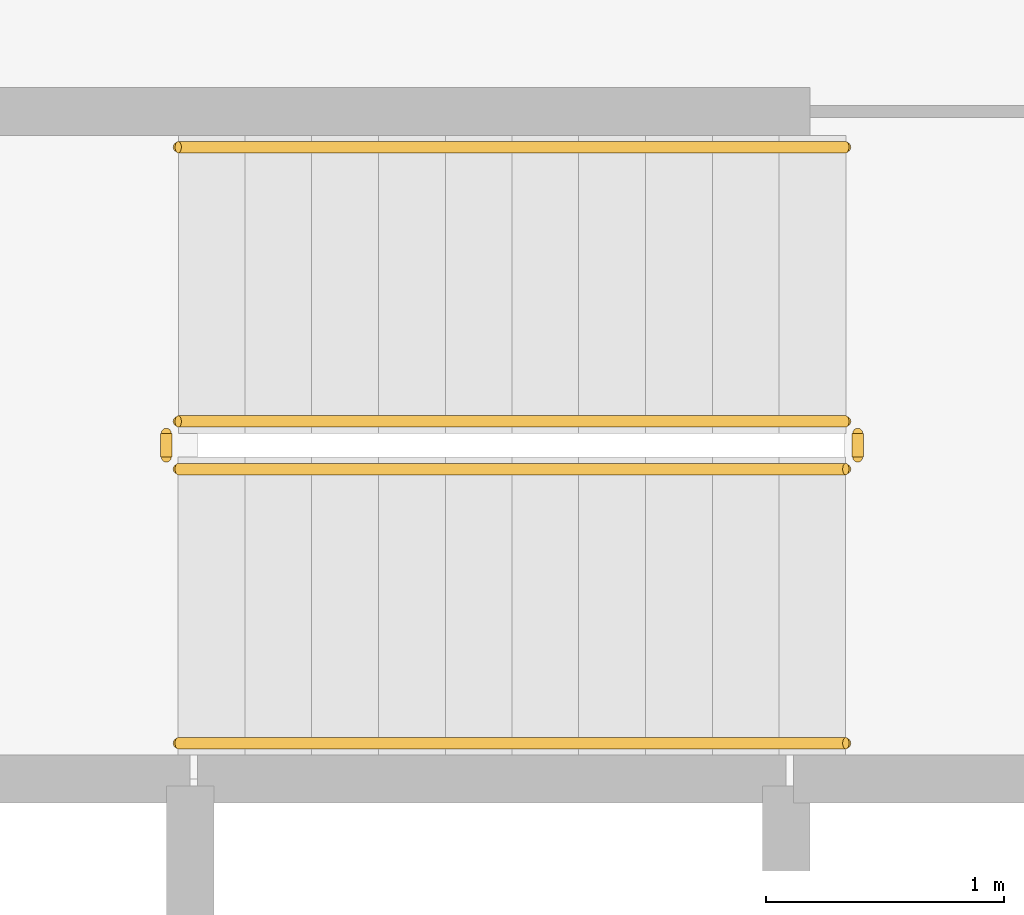
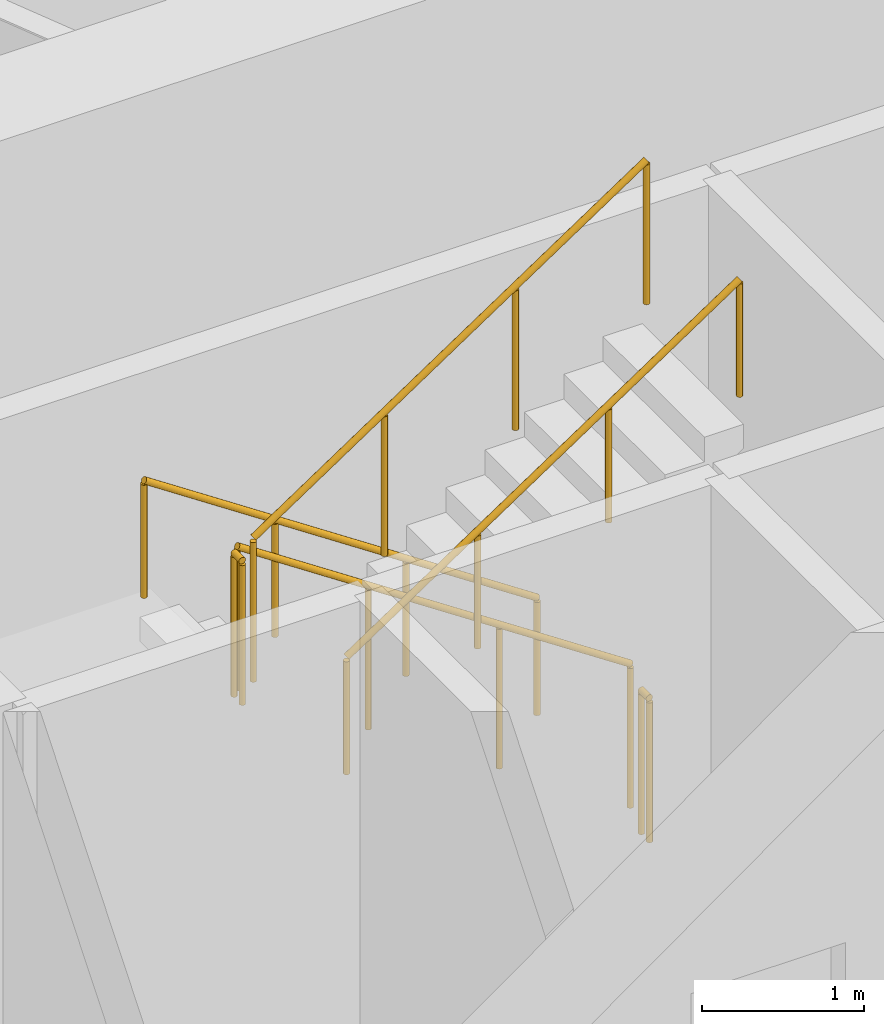
# One storey, part 22 of 24: 6 railings.
"""IFC4 building model written with IfcOpenShell, lengths in metres."""

from ifc_helpers import new_model, si_unit, direction, frame, origin, origin_2d, place, context, subcontext, project, spatial, circle, extrude, material, type_object, element, save


model = new_model("IFC4")

# Units and contexts
model_context = context("Model", 3, precision=1e-05, world=origin(), true_north=direction((0.0, 1.0)))
body_context = subcontext(model_context, "Body", "Model", "MODEL_VIEW")
ifc_project = project(units=[si_unit("LENGTHUNIT", "METRE"), si_unit("AREAUNIT", "SQUARE_METRE"), si_unit("VOLUMEUNIT", "CUBIC_METRE"), si_unit("PLANEANGLEUNIT", "RADIAN"), si_unit("MASSUNIT", "GRAM", prefix="KILO")], contexts=[model_context])

# Site, building, storey
site_placement = place(None, origin())
site = spatial("IfcSite", under=ifc_project, at=site_placement, CompositionType="ELEMENT")
building_placement = place(site_placement, origin())
building = spatial("IfcBuilding", under=site, at=building_placement, Name="Spindrift Exchange Tower", CompositionType="ELEMENT")
storey_placement = place(building_placement, frame((0.0, 0.0, 79.800048828125)))
storey = spatial("IfcBuildingStorey", under=building, at=storey_placement, Name="L18", CompositionType="ELEMENT", Elevation=79.800048828125)

# Railings
ifc_material_1 = material(Name="Steel balustrade", Category="steel")
railing_type_1 = type_object("IfcRailingType", Name="RL-STAIR-GUARD", PredefinedType="GUARDRAIL", material=ifc_material_1)
railing_1_placement = place(storey_placement, frame((49.050048828125, 53.89990234375, 0.186279296875)))
element("IfcRailing", 1, at=railing_1_placement, inside=storey, type_object=railing_type_1, Name="L18 ST1 stair guard 1", PredefinedType="GUARDRAIL", context=body_context, shape_type="SweptSolid", body=[
    extrude(circle(Radius=0.02392578125, at=origin_2d()), frame((0.0, 0.0, 1.076171875), z_axis=(-0.832452072856, 0.0, 0.554097055034), x_axis=(0.0, -1.0, 0.0)), (0.0, 0.0, 1.0), 3.363525390625),
    extrude(circle(Radius=0.02099609375, at=origin_2d()), origin(), (0.0, 0.0, 1.0), 1.052001953125),
    extrude(circle(Radius=0.02099609375, at=origin_2d()), frame((-0.933349609375, 0.0, 0.621337890625)), (0.0, 0.0, 1.0), 1.052001953125),
    extrude(circle(Radius=0.02099609375, at=origin_2d()), frame((-1.86669921875, 0.0, 1.242431640625)), (0.0, 0.0, 1.0), 1.052001953125),
    extrude(circle(Radius=0.02099609375, at=origin_2d()), frame((-2.800048828125, 0.0, 1.86376953125)), (0.0, 0.0, 1.0), 1.052001953125),
])
railing_2_placement = place(storey_placement, frame((46.199951171875, 53.85009765625, 2.050048828125)))
element("IfcRailing", 2, at=railing_2_placement, inside=storey, type_object=railing_type_1, Name="L18 ST1 stair guard 2", PredefinedType="GUARDRAIL", context=body_context, shape_type="SweptSolid", body=[
    extrude(circle(Radius=0.02392578125, at=origin_2d()), frame((0.0, 0.0, 1.076171875), z_axis=(0.0, -1.0, 0.0), x_axis=(1.0, 0.0, 0.0)), (0.0, 0.0, 1.0), 0.10009765625),
    extrude(circle(Radius=0.02099609375, at=origin_2d()), origin(), (0.0, 0.0, 1.0), 1.052001953125),
    extrude(circle(Radius=0.02099609375, at=origin_2d()), frame((0.0, -0.10009765625, 0.0)), (0.0, 0.0, 1.0), 1.052001953125),
])
railing_3_placement = place(storey_placement, frame((46.25, 53.699951171875, 2.236328125)))
element("IfcRailing", 3, at=railing_3_placement, inside=storey, type_object=railing_type_1, Name="L18 ST1 stair guard 3", PredefinedType="GUARDRAIL", context=body_context, shape_type="SweptSolid", body=[
    extrude(circle(Radius=0.02392578125, at=origin_2d()), frame((0.0, 0.0, 1.076171875), z_axis=(0.832485552168, 0.0, 0.554046753832), x_axis=(0.0, 1.0, 0.0)), (0.0, 0.0, 1.0), 3.363525390625),
    extrude(circle(Radius=0.02099609375, at=origin_2d()), origin(), (0.0, 0.0, 1.0), 1.052001953125),
    extrude(circle(Radius=0.02099609375, at=origin_2d()), frame((0.933349609375, 0.0, 0.62109375)), (0.0, 0.0, 1.0), 1.052001953125),
    extrude(circle(Radius=0.02099609375, at=origin_2d()), frame((1.86669921875, 0.0, 1.242431640625)), (0.0, 0.0, 1.0), 1.052001953125),
    extrude(circle(Radius=0.02099609375, at=origin_2d()), frame((2.800048828125, 0.0, 1.863525390625)), (0.0, 0.0, 1.0), 1.052001953125),
])
railing_4_placement = place(storey_placement, frame((49.10009765625, 53.85009765625, 0.0)))
element("IfcRailing", 4, at=railing_4_placement, inside=storey, type_object=railing_type_1, Name="L18 ST1 stair guard 4", PredefinedType="GUARDRAIL", context=body_context, shape_type="SweptSolid", body=[
    extrude(circle(Radius=0.02392578125, at=origin_2d()), frame((0.0, 0.0, 1.076171875), z_axis=(0.0, -1.0, 0.0), x_axis=(1.0, 0.0, 0.0)), (0.0, 0.0, 1.0), 0.10009765625),
    extrude(circle(Radius=0.02099609375, at=origin_2d()), origin(), (0.0, 0.0, 1.0), 1.052001953125),
    extrude(circle(Radius=0.02099609375, at=origin_2d()), frame((0.0, -0.10009765625, 0.0)), (0.0, 0.0, 1.0), 1.052001953125),
])
ifc_material_2 = material(Name="Steel tubular handrail", Category="steel")
railing_type_2 = type_object("IfcRailingType", Name="RL-STAIR-HAND", PredefinedType="HANDRAIL", material=ifc_material_2)
railing_5_placement = place(storey_placement, frame((49.050048828125, 55.050048828125, 0.186279296875)))
element("IfcRailing", 5, at=railing_5_placement, inside=storey, type_object=railing_type_2, Name="L18 ST1 stair handrail 1", PredefinedType="HANDRAIL", context=body_context, shape_type="SweptSolid", body=[
    extrude(circle(Radius=0.02392578125, at=origin_2d()), frame((0.0, 0.0, 0.8759765625), z_axis=(-0.832452072856, 0.0, 0.554097055034), x_axis=(0.0, -1.0, 0.0)), (0.0, 0.0, 1.0), 3.363525390625),
    extrude(circle(Radius=0.02099609375, at=origin_2d()), origin(), (0.0, 0.0, 1.0), 0.851806640625),
    extrude(circle(Radius=0.02099609375, at=origin_2d()), frame((-0.933349609375, 0.0, 0.621337890625)), (0.0, 0.0, 1.0), 0.851806640625),
    extrude(circle(Radius=0.02099609375, at=origin_2d()), frame((-1.86669921875, 0.0, 1.242431640625)), (0.0, 0.0, 1.0), 0.851806640625),
    extrude(circle(Radius=0.02099609375, at=origin_2d()), frame((-2.800048828125, 0.0, 1.86376953125)), (0.0, 0.0, 1.0), 0.851806640625),
])
railing_6_placement = place(storey_placement, frame((46.25, 52.550048828125, 2.236328125)))
element("IfcRailing", 6, at=railing_6_placement, inside=storey, type_object=railing_type_2, Name="L18 ST1 stair handrail 2", PredefinedType="HANDRAIL", context=body_context, shape_type="SweptSolid", body=[
    extrude(circle(Radius=0.02392578125, at=origin_2d()), frame((0.0, 0.0, 0.8759765625), z_axis=(0.832485552168, 0.0, 0.554046753832), x_axis=(0.0, 1.0, 0.0)), (0.0, 0.0, 1.0), 3.363525390625),
    extrude(circle(Radius=0.02099609375, at=origin_2d()), origin(), (0.0, 0.0, 1.0), 0.851806640625),
    extrude(circle(Radius=0.02099609375, at=origin_2d()), frame((0.933349609375, 0.0, 0.62109375)), (0.0, 0.0, 1.0), 0.851806640625),
    extrude(circle(Radius=0.02099609375, at=origin_2d()), frame((1.86669921875, 0.0, 1.242431640625)), (0.0, 0.0, 1.0), 0.851806640625),
    extrude(circle(Radius=0.02099609375, at=origin_2d()), frame((2.800048828125, 0.0, 1.863525390625)), (0.0, 0.0, 1.0), 0.851806640625),
])

save(model, "model.ifc")
